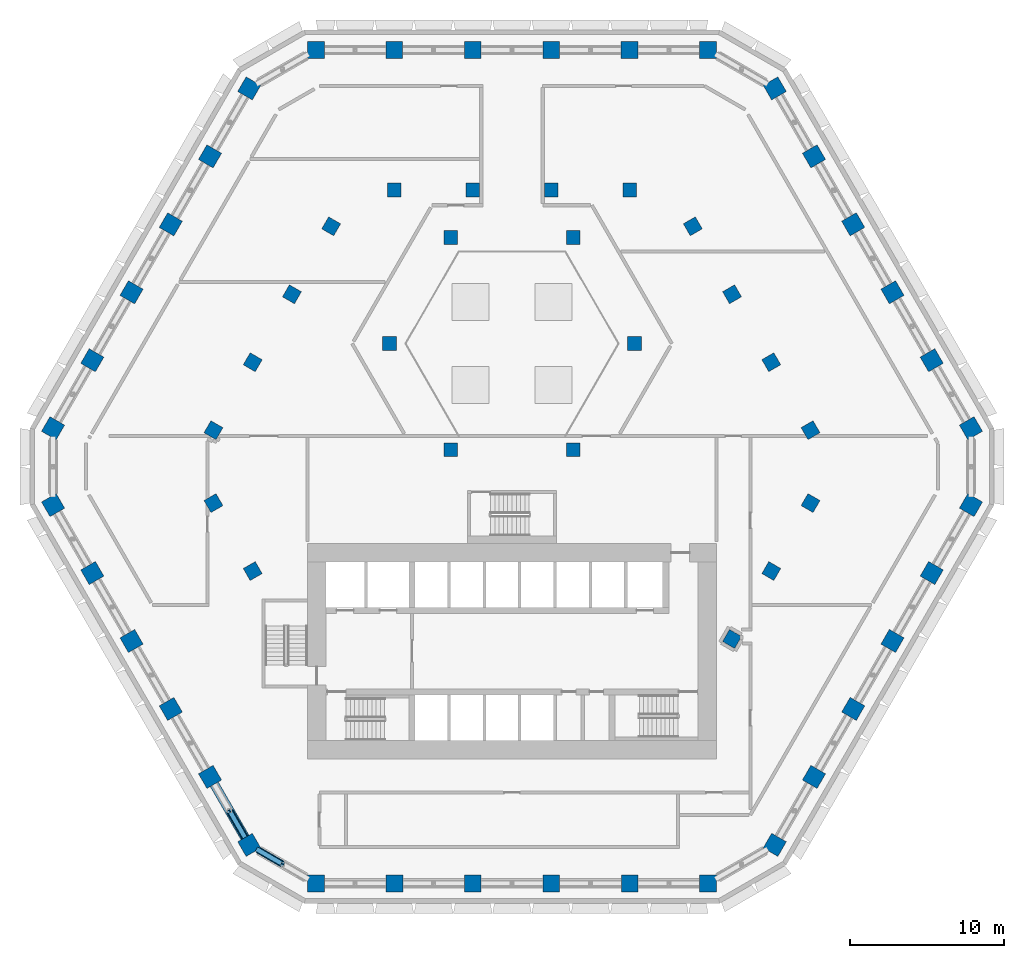
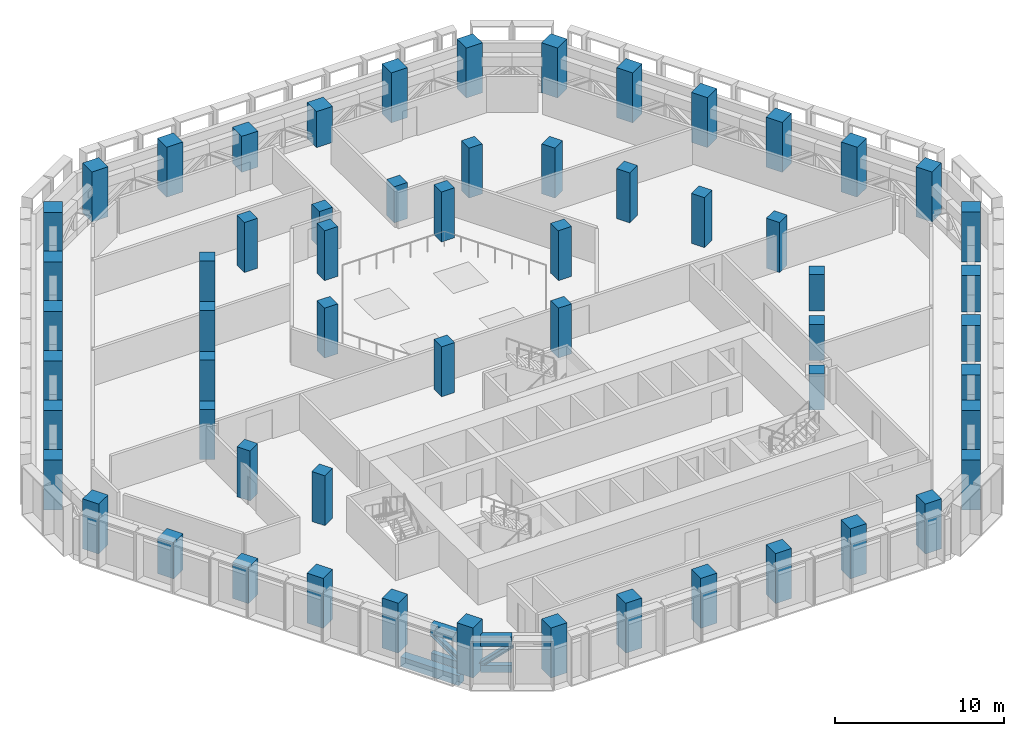
# One storey, part 1 of 22: 59 columns, 6 members, 1 beam.
"""IFC4 building model written with IfcOpenShell, lengths in metres."""

from ifc_helpers import new_model, si_unit, direction, frame, origin, origin_2d, place, context, subcontext, project, spatial, rectangle, hollow_rectangle, i_section, extrude, material, material_profile, profile_set, type_object, element, save


model = new_model("IFC4")

# Units and contexts
model_context = context("Model", 3, precision=1e-05, world=origin(), true_north=direction((0.0, 1.0)))
body_context = subcontext(model_context, "Body", "Model", "MODEL_VIEW")
ifc_project = project(units=[si_unit("LENGTHUNIT", "METRE"), si_unit("AREAUNIT", "SQUARE_METRE"), si_unit("VOLUMEUNIT", "CUBIC_METRE"), si_unit("PLANEANGLEUNIT", "RADIAN"), si_unit("MASSUNIT", "GRAM", prefix="KILO")], contexts=[model_context])

# Site, building, storey
site_placement = place(None, origin())
site = spatial("IfcSite", under=ifc_project, at=site_placement, CompositionType="ELEMENT")
building_placement = place(site_placement, origin())
building = spatial("IfcBuilding", under=site, at=building_placement, Name="Beryl Residences", CompositionType="ELEMENT")
storey_placement = place(building_placement, frame((0.0, 0.0, 62.39990234375)))
storey = spatial("IfcBuildingStorey", under=building, at=storey_placement, Name="L19", CompositionType="ELEMENT", Elevation=62.39990234375)

# Columns
ifc_material_1 = material(Name="Concrete C80/95", Category="concrete")
ifc_material_profile_1 = material_profile(ifc_material_1, rectangle(XDim=1.10009765625, YDim=1.10009765625, at=origin_2d()))
ifc_profile_set_1 = profile_set([ifc_material_profile_1], Name="Concrete C80/95")
column_type_1 = type_object("IfcColumnType", Name="C1 tube column 1100 x 1100 C80/95", PredefinedType="COLUMN", material=ifc_profile_set_1)
for number, where, z_axis, x_axis, name in (
    (1, (12.759033203125, 27.10009765625, 0.0), (0.0, 0.0, 1.0), (-1.0, 0.0, 0.0), "C1-N1 L19"),
    (2, (7.655029296875, 27.10009765625, 0.0), (0.0, 0.0, 1.0), (-1.0, 0.0, 0.0), "C1-N2 L19"),
):
    element("IfcColumn", number, at=place(storey_placement, frame(where, z_axis=z_axis, x_axis=x_axis)), inside=storey, type_object=column_type_1, Name=name, PredefinedType="COLUMN", context=body_context, shape_type="SweptSolid", body=[
        extrude(rectangle(XDim=1.10009765625, YDim=1.10009765625, at=origin_2d()), origin(), (0.0, 0.0, 1.0), 3.60009765625),
    ])
for number, where, z_axis, x_axis, name in (
    (3, (2.551025390625, 27.10009765625, 0.0), (0.0, 0.0, 1.0), (-1.0, 0.0, 0.0), "C1-N3 L19"),
    (4, (-2.552978515625, 27.10009765625, 0.0), (0.0, 0.0, 1.0), (-1.0, 0.0, 0.0), "C1-N4 L19"),
):
    element("IfcColumn", number, at=place(storey_placement, frame(where, z_axis=z_axis, x_axis=x_axis)), inside=storey, type_object=column_type_1, Name=name, PredefinedType="COLUMN", context=body_context, shape_type="SweptSolid", body=[
        extrude(rectangle(XDim=1.10009765625, YDim=1.10009765625, at=origin_2d()), origin(), (0.0, 0.0, 1.0), 2.60009765625),
    ])
for number, where, z_axis, x_axis, name in (
    (5, (-7.656982421875, 27.10009765625, 0.0), (0.0, 0.0, 1.0), (-1.0, 0.0, 0.0), "C1-N5 L19"),
    (6, (-12.760986328125, 27.10009765625, 0.0), (0.0, 0.0, 1.0), (-1.0, 0.0, 0.0), "C1-N6 L19"),
    (7, (-17.090087890625, 24.60009765625, 0.0), (0.0, 0.0, 1.0), (-0.499984884929, -0.866034130299, 0.0), "C1-NW1 L19"),
    (8, (-19.64208984375, 20.179931640625, 0.0), (0.0, 0.0, 1.0), (-0.499984884929, -0.866034130299, 0.0), "C1-NW2 L19"),
    (9, (-22.194091796875, 15.759033203125, 0.0), (0.0, 0.0, 1.0), (-0.499984884929, -0.866034130299, 0.0), "C1-NW3 L19"),
    (10, (-24.74609375, 11.339111328125, 0.0), (0.0, 0.0, 1.0), (-0.499984884929, -0.866034130299, 0.0), "C1-NW4 L19"),
    (11, (-27.298095703125, 6.9189453125, 0.0), (0.0, 0.0, 1.0), (-0.499984884929, -0.866034130299, 0.0), "C1-NW5 L19"),
    (12, (-29.84912109375, 2.4990234375, 0.0), (0.0, 0.0, 1.0), (-0.499984884929, -0.866034130299, 0.0), "C1-NW6 L19"),
    (13, (-29.847900390625, -2.5, 0.0), (0.0, 0.0, 1.0), (0.499984884929, -0.866034130299, 0.0), "C1-SW1 L19"),
):
    element("IfcColumn", number, at=place(storey_placement, frame(where, z_axis=z_axis, x_axis=x_axis)), inside=storey, type_object=column_type_1, Name=name, PredefinedType="COLUMN", context=body_context, shape_type="SweptSolid", body=[
        extrude(rectangle(XDim=1.10009765625, YDim=1.10009765625, at=origin_2d()), origin(), (0.0, 0.0, 1.0), 3.60009765625),
    ])
for number, where, z_axis, x_axis, name in (
    (14, (-27.297119140625, -6.9208984375, 0.0), (0.0, 0.0, 1.0), (0.499984884929, -0.866034130299, 0.0), "C1-SW2 L19"),
    (15, (-24.7451171875, -11.341064453125, 0.0), (0.0, 0.0, 1.0), (0.499984884929, -0.866034130299, 0.0), "C1-SW3 L19"),
):
    element("IfcColumn", number, at=place(storey_placement, frame(where, z_axis=z_axis, x_axis=x_axis)), inside=storey, type_object=column_type_1, Name=name, PredefinedType="COLUMN", context=body_context, shape_type="SweptSolid", body=[
        extrude(rectangle(XDim=1.10009765625, YDim=1.10009765625, at=origin_2d()), origin(), (0.0, 0.0, 1.0), 2.60009765625),
    ])
for number, where, z_axis, x_axis, name in (
    (16, (-22.193115234375, -15.760986328125, 0.0), (0.0, 0.0, 1.0), (0.499984884929, -0.866034130299, 0.0), "C1-SW4 L19"),
    (17, (-19.64111328125, -20.180908203125, 0.0), (0.0, 0.0, 1.0), (0.499984884929, -0.866034130299, 0.0), "C1-SW5 L19"),
    (18, (-17.089111328125, -24.60107421875, 0.0), (0.0, 0.0, 1.0), (0.499984884929, -0.866034130299, 0.0), "C1-SW6 L19"),
    (19, (-12.759033203125, -27.10009765625, 0.0), (0.0, 0.0, 1.0), (1.0, 0.0, 0.0), "C1-S1 L19"),
    (20, (-7.655029296875, -27.10009765625, 0.0), (0.0, 0.0, 1.0), (1.0, 0.0, 0.0), "C1-S2 L19"),
    (21, (-2.551025390625, -27.10009765625, 0.0), (0.0, 0.0, 1.0), (1.0, 0.0, 0.0), "C1-S3 L19"),
    (22, (2.552978515625, -27.10009765625, 0.0), (0.0, 0.0, 1.0), (1.0, 0.0, 0.0), "C1-S4 L19"),
    (23, (7.656982421875, -27.10009765625, 0.0), (0.0, 0.0, 1.0), (1.0, 0.0, 0.0), "C1-S5 L19"),
    (24, (12.760986328125, -27.10009765625, 0.0), (0.0, 0.0, 1.0), (1.0, 0.0, 0.0), "C1-S6 L19"),
    (25, (17.090087890625, -24.60009765625, 0.0), (0.0, 0.0, 1.0), (0.499984884929, 0.866034130299, 0.0), "C1-SE1 L19"),
    (26, (19.64208984375, -20.179931640625, 0.0), (0.0, 0.0, 1.0), (0.499984884929, 0.866034130299, 0.0), "C1-SE2 L19"),
):
    element("IfcColumn", number, at=place(storey_placement, frame(where, z_axis=z_axis, x_axis=x_axis)), inside=storey, type_object=column_type_1, Name=name, PredefinedType="COLUMN", context=body_context, shape_type="SweptSolid", body=[
        extrude(rectangle(XDim=1.10009765625, YDim=1.10009765625, at=origin_2d()), origin(), (0.0, 0.0, 1.0), 3.60009765625),
    ])
for number, where, z_axis, x_axis, name in (
    (27, (22.194091796875, -15.759033203125, 0.0), (0.0, 0.0, 1.0), (0.499984884929, 0.866034130299, 0.0), "C1-SE3 L19"),
    (28, (24.74609375, -11.339111328125, 0.0), (0.0, 0.0, 1.0), (0.499984884929, 0.866034130299, 0.0), "C1-SE4 L19"),
    (29, (27.298095703125, -6.9189453125, 0.0), (0.0, 0.0, 1.0), (0.499984884929, 0.866034130299, 0.0), "C1-SE5 L19"),
):
    element("IfcColumn", number, at=place(storey_placement, frame(where, z_axis=z_axis, x_axis=x_axis)), inside=storey, type_object=column_type_1, Name=name, PredefinedType="COLUMN", context=body_context, shape_type="SweptSolid", body=[
        extrude(rectangle(XDim=1.10009765625, YDim=1.10009765625, at=origin_2d()), origin(), (0.0, 0.0, 1.0), 2.60009765625),
    ])
for number, where, z_axis, x_axis, name in (
    (30, (29.84912109375, -2.4990234375, 0.0), (0.0, 0.0, 1.0), (0.499984884929, 0.866034130299, 0.0), "C1-SE6 L19"),
    (31, (29.847900390625, 2.5, 0.0), (0.0, 0.0, 1.0), (-0.499984884929, 0.866034130299, 0.0), "C1-NE1 L19"),
    (32, (27.297119140625, 6.9208984375, 0.0), (0.0, 0.0, 1.0), (-0.499984884929, 0.866034130299, 0.0), "C1-NE2 L19"),
    (33, (24.7451171875, 11.341064453125, 0.0), (0.0, 0.0, 1.0), (-0.499984884929, 0.866034130299, 0.0), "C1-NE3 L19"),
    (34, (22.193115234375, 15.760986328125, 0.0), (0.0, 0.0, 1.0), (-0.499984884929, 0.866034130299, 0.0), "C1-NE4 L19"),
    (35, (19.64111328125, 20.180908203125, 0.0), (0.0, 0.0, 1.0), (-0.499984884929, 0.866034130299, 0.0), "C1-NE5 L19"),
    (36, (17.089111328125, 24.60107421875, 0.0), (0.0, 0.0, 1.0), (-0.499984884929, 0.866034130299, 0.0), "C1-NE6 L19"),
):
    element("IfcColumn", number, at=place(storey_placement, frame(where, z_axis=z_axis, x_axis=x_axis)), inside=storey, type_object=column_type_1, Name=name, PredefinedType="COLUMN", context=body_context, shape_type="SweptSolid", body=[
        extrude(rectangle(XDim=1.10009765625, YDim=1.10009765625, at=origin_2d()), origin(), (0.0, 0.0, 1.0), 3.60009765625),
    ])
ifc_material_2 = material(Name="Concrete C80/95", Category="concrete")
ifc_material_profile_2 = material_profile(ifc_material_2, rectangle(XDim=0.89990234375, YDim=0.89990234375, at=origin_2d()))
ifc_profile_set_2 = profile_set([ifc_material_profile_2], Name="Concrete C80/95")
column_type_2 = type_object("IfcColumnType", Name="IC1 interior column 900 x 900 C80/95", PredefinedType="COLUMN", material=ifc_profile_set_2)
for number, where, z_axis, x_axis, name in (
    (37, (-19.416015625, -2.37109375, 0.0), (0.0, 0.0, 1.0), (0.499984884929, -0.866034130299, 0.0), "IC1-M01 L19"),
    (38, (-16.864013671875, -6.791015625, 0.0), (0.0, 0.0, 1.0), (0.499984884929, -0.866034130299, 0.0), "IC1-M02 L19"),
):
    element("IfcColumn", number, at=place(storey_placement, frame(where, z_axis=z_axis, x_axis=x_axis)), inside=storey, type_object=column_type_2, Name=name, PredefinedType="COLUMN", context=body_context, shape_type="SweptSolid", body=[
        extrude(rectangle(XDim=0.89990234375, YDim=0.89990234375, at=origin_2d()), origin(), (0.0, 0.0, 1.0), 3.60009765625),
    ])
for number, where, z_axis, x_axis, name in (
    (39, (14.31298828125, -11.208984375, 0.0), (0.0, 0.0, 1.0), (0.499984884929, 0.866034130299, 0.0), "IC1-M03 L19"),
    (40, (16.864990234375, -6.7890625, 0.0), (0.0, 0.0, 1.0), (0.499984884929, 0.866034130299, 0.0), "IC1-M04 L19"),
    (41, (19.4169921875, -2.368896484375, 0.0), (0.0, 0.0, 1.0), (0.499984884929, 0.866034130299, 0.0), "IC1-M05 L19"),
):
    element("IfcColumn", number, at=place(storey_placement, frame(where, z_axis=z_axis, x_axis=x_axis)), inside=storey, type_object=column_type_2, Name=name, PredefinedType="COLUMN", context=body_context, shape_type="SweptSolid", body=[
        extrude(rectangle(XDim=0.89990234375, YDim=0.89990234375, at=origin_2d()), origin(), (0.0, 0.0, 1.0), 2.60009765625),
    ])
for number, where, z_axis, x_axis, name in (
    (42, (19.416015625, 2.37109375, 0.0), (0.0, 0.0, 1.0), (-0.499984884929, 0.866034130299, 0.0), "IC1-M06 L19"),
    (43, (3.98388671875, 1.10009765625, 0.0), (0.0, 0.0, 1.0), (1.0, 0.0, 0.0), "IC1-A07 L19"),
    (44, (16.864013671875, 6.791015625, 0.0), (0.0, 0.0, 1.0), (-0.499984884929, 0.866034130299, 0.0), "IC1-M08 L19"),
    (45, (14.31201171875, 11.2109375, 0.0), (0.0, 0.0, 1.0), (-0.499984884929, 0.866034130299, 0.0), "IC1-M09 L19"),
    (46, (7.967041015625, 8.0, 0.0), (0.0, 0.0, 1.0), (1.0, 0.0, 0.0), "IC1-A10 L19"),
    (47, (11.760009765625, 15.631103515625, 0.0), (0.0, 0.0, 1.0), (-0.499984884929, 0.866034130299, 0.0), "IC1-M11 L19"),
    (48, (7.655029296875, 18.0, 0.0), (0.0, 0.0, 1.0), (-1.0, 0.0, 0.0), "IC1-M12 L19"),
    (49, (3.98388671875, 14.89990234375, 0.0), (0.0, 0.0, 1.0), (1.0, 0.0, 0.0), "IC1-A13 L19"),
):
    element("IfcColumn", number, at=place(storey_placement, frame(where, z_axis=z_axis, x_axis=x_axis)), inside=storey, type_object=column_type_2, Name=name, PredefinedType="COLUMN", context=body_context, shape_type="SweptSolid", body=[
        extrude(rectangle(XDim=0.89990234375, YDim=0.89990234375, at=origin_2d()), origin(), (0.0, 0.0, 1.0), 3.60009765625),
    ])
for number, where, z_axis, x_axis, name in (
    (50, (2.551025390625, 18.0, 0.0), (0.0, 0.0, 1.0), (-1.0, 0.0, 0.0), "IC1-M14 L19"),
    (51, (-2.552978515625, 18.0, 0.0), (0.0, 0.0, 1.0), (-1.0, 0.0, 0.0), "IC1-M15 L19"),
):
    element("IfcColumn", number, at=place(storey_placement, frame(where, z_axis=z_axis, x_axis=x_axis)), inside=storey, type_object=column_type_2, Name=name, PredefinedType="COLUMN", context=body_context, shape_type="SweptSolid", body=[
        extrude(rectangle(XDim=0.89990234375, YDim=0.89990234375, at=origin_2d()), origin(), (0.0, 0.0, 1.0), 2.60009765625),
    ])
for number, where, z_axis, x_axis, name in (
    (52, (-3.98388671875, 14.89990234375, 0.0), (0.0, 0.0, 1.0), (1.0, 0.0, 0.0), "IC1-A16 L19"),
    (53, (-7.656982421875, 18.0, 0.0), (0.0, 0.0, 1.0), (-1.0, 0.0, 0.0), "IC1-M17 L19"),
    (54, (-11.760986328125, 15.6298828125, 0.0), (0.0, 0.0, 1.0), (-0.499984884929, -0.866034130299, 0.0), "IC1-M18 L19"),
    (55, (-7.967041015625, 8.0, 0.0), (0.0, 0.0, 1.0), (1.0, 0.0, 0.0), "IC1-A19 L19"),
    (56, (-14.31298828125, 11.208984375, 0.0), (0.0, 0.0, 1.0), (-0.499984884929, -0.866034130299, 0.0), "IC1-M20 L19"),
    (57, (-16.864990234375, 6.7890625, 0.0), (0.0, 0.0, 1.0), (-0.499984884929, -0.866034130299, 0.0), "IC1-M21 L19"),
    (58, (-3.98388671875, 1.10009765625, 0.0), (0.0, 0.0, 1.0), (1.0, 0.0, 0.0), "IC1-A22 L19"),
    (59, (-19.4169921875, 2.368896484375, 0.0), (0.0, 0.0, 1.0), (-0.499984884929, -0.866034130299, 0.0), "IC1-M23 L19"),
):
    element("IfcColumn", number, at=place(storey_placement, frame(where, z_axis=z_axis, x_axis=x_axis)), inside=storey, type_object=column_type_2, Name=name, PredefinedType="COLUMN", context=body_context, shape_type="SweptSolid", body=[
        extrude(rectangle(XDim=0.89990234375, YDim=0.89990234375, at=origin_2d()), origin(), (0.0, 0.0, 1.0), 3.60009765625),
    ])

# Members
ifc_material_3 = material(Name="Steel S355", Category="steel")
ifc_material_profile_3 = material_profile(ifc_material_3, hollow_rectangle(XDim=0.35009765625, YDim=0.5, WallThickness=0.02490234375, at=origin_2d()))
ifc_profile_set_3 = profile_set([ifc_material_profile_3], Name="Steel S355")
member_type_1 = type_object("IfcMemberType", Name="BB1 belt truss bottom chord WB 500x350x25", PredefinedType="CHORD", material=ifc_profile_set_3)
member_1_placement = place(storey_placement, frame((-18.364990234375, -22.39111328125, 0.25), z_axis=(0.499968756647, -0.866043441391, 0.0), x_axis=(0.866043441391, 0.499968756647, 0.0)))
element("IfcMember", 60, at=member_1_placement, inside=storey, type_object=member_type_1, Name="Belt truss BB1-SW-4b L19", PredefinedType="CHORD", context=body_context, shape_type="SweptSolid", body=[
    extrude(hollow_rectangle(XDim=0.35009765625, YDim=0.5, WallThickness=0.02490234375, at=origin_2d()), origin(), (0.0, 0.0, 1.0), 2.002197265625),
])
member_2_placement = place(storey_placement, frame((-16.5390625, -24.91796875, 0.25), z_axis=(0.865865073245, -0.500277597875, 0.0), x_axis=(0.500277597875, 0.865865073245, 0.0)))
element("IfcMember", 61, at=member_2_placement, inside=storey, type_object=member_type_1, Name="Belt truss BB1-SW-5a L19", PredefinedType="CHORD", context=body_context, shape_type="SweptSolid", body=[
    extrude(hollow_rectangle(XDim=0.35009765625, YDim=0.5, WallThickness=0.02490234375, at=origin_2d()), origin(), (0.0, 0.0, 1.0), 1.865234375),
])
ifc_material_4 = material(Name="Steel S355", Category="steel")
ifc_material_profile_4 = material_profile(ifc_material_4, i_section(OverallWidth=0.31103515625, OverallDepth=0.326904296875, WebThickness=0.015625, FlangeThickness=0.02490234375, FilletRadius=0.0166015625, at=origin_2d()))
ifc_profile_set_4 = profile_set([ifc_material_profile_4], Name="Steel S355")
member_type_2 = type_object("IfcMemberType", Name="BD1 belt truss diagonal 310UC158", PredefinedType="BRACE", material=ifc_profile_set_4)
member_3_placement = place(storey_placement, frame((-17.364013671875, -24.125, 0.5), z_axis=(-0.409716105686, 0.709708239654, 0.573102894173), x_axis=(-0.866043441391, -0.499968756647, 0.0)))
element("IfcMember", 62, at=member_3_placement, inside=storey, type_object=member_type_2, Name="Belt truss BD1-SW-4b L19", PredefinedType="BRACE", context=body_context, shape_type="SweptSolid", body=[
    extrude(i_section(OverallWidth=0.31103515625, OverallDepth=0.326904296875, WebThickness=0.015625, FlangeThickness=0.02490234375, FilletRadius=0.0166015625, at=origin_2d()), origin(), (0.0, 0.0, 1.0), 2.443115234375),
])
member_4_placement = place(storey_placement, frame((-16.5390625, -24.91796875, 0.5), z_axis=(0.692466575512, -0.400091799185, 0.60034706131), x_axis=(0.500277597875, 0.865865073245, 0.0)))
element("IfcMember", 63, at=member_4_placement, inside=storey, type_object=member_type_2, Name="Belt truss BD1-SW-5a L19", PredefinedType="BRACE", context=body_context, shape_type="SweptSolid", body=[
    extrude(i_section(OverallWidth=0.31103515625, OverallDepth=0.326904296875, WebThickness=0.015625, FlangeThickness=0.02490234375, FilletRadius=0.0166015625, at=origin_2d()), origin(), (0.0, 0.0, 1.0), 2.332275390625),
])
ifc_material_5 = material(Name="Steel S355", Category="steel")
ifc_material_profile_5 = material_profile(ifc_material_5, hollow_rectangle(XDim=0.449951171875, YDim=0.699951171875, WallThickness=0.034912109375, at=origin_2d()))
ifc_profile_set_5 = profile_set([ifc_material_profile_5], Name="Steel S355")
member_type_3 = type_object("IfcMemberType", Name="BT1 belt truss top chord WB 700x450x35", PredefinedType="CHORD", material=ifc_profile_set_5)
member_5_placement = place(storey_placement, frame((-18.364990234375, -22.39111328125, 2.25), z_axis=(0.499968756647, -0.866043441391, 0.0), x_axis=(0.866043441391, 0.499968756647, 0.0)))
element("IfcMember", 64, at=member_5_placement, inside=storey, type_object=member_type_3, Name="Belt truss BT1-SW-4b L19", PredefinedType="CHORD", context=body_context, shape_type="SweptSolid", body=[
    extrude(hollow_rectangle(XDim=0.449951171875, YDim=0.699951171875, WallThickness=0.034912109375, at=origin_2d()), origin(), (0.0, 0.0, 1.0), 2.002197265625),
])
member_6_placement = place(storey_placement, frame((-16.5390625, -24.91796875, 2.25), z_axis=(0.865865073245, -0.500277597875, 0.0), x_axis=(0.500277597875, 0.865865073245, 0.0)))
element("IfcMember", 65, at=member_6_placement, inside=storey, type_object=member_type_3, Name="Belt truss BT1-SW-5a L19", PredefinedType="CHORD", context=body_context, shape_type="SweptSolid", body=[
    extrude(hollow_rectangle(XDim=0.449951171875, YDim=0.699951171875, WallThickness=0.034912109375, at=origin_2d()), origin(), (0.0, 0.0, 1.0), 1.865234375),
])

# Beam
ifc_material_6 = material(Name="Concrete C80/95", Category="concrete")
ifc_material_profile_6 = material_profile(ifc_material_6, rectangle(XDim=0.60009765625, YDim=0.699951171875, at=origin_2d()))
ifc_profile_set_6 = profile_set([ifc_material_profile_6], Name="Concrete C80/95")
beam_type = type_object("IfcBeamType", Name="SB1 spandrel beam 600 x 700 C80/95", PredefinedType="SPANDREL", material=ifc_profile_set_6)
beam_placement = place(storey_placement, frame((-19.365966796875, -20.656982421875, -0.75), z_axis=(0.499942357345, -0.866058681229, 0.0), x_axis=(0.866058681229, 0.499942357345, 0.0)))
element("IfcBeam", 66, at=beam_placement, inside=storey, type_object=beam_type, Name="SB1 L19 SW-4", PredefinedType="SPANDREL", context=body_context, shape_type="SweptSolid", body=[
    extrude(rectangle(XDim=0.60009765625, YDim=0.699951171875, at=origin_2d()), origin(), (0.0, 0.0, 1.0), 4.00439453125),
])

save(model, "model.ifc")
